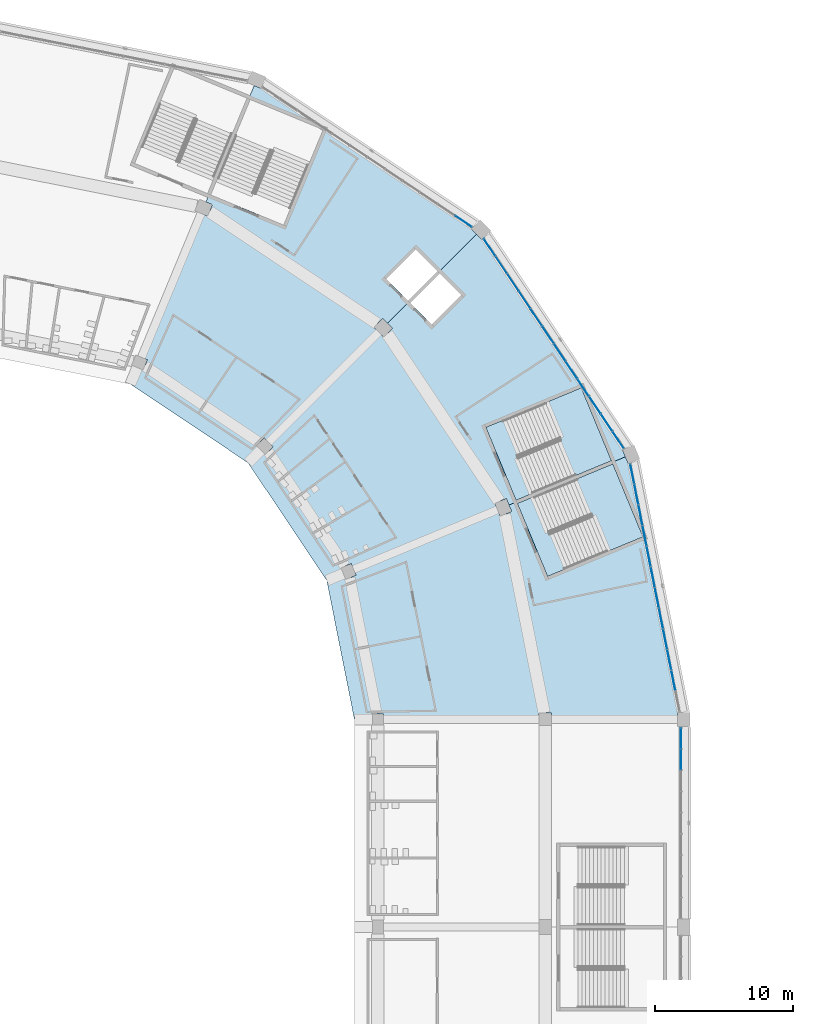
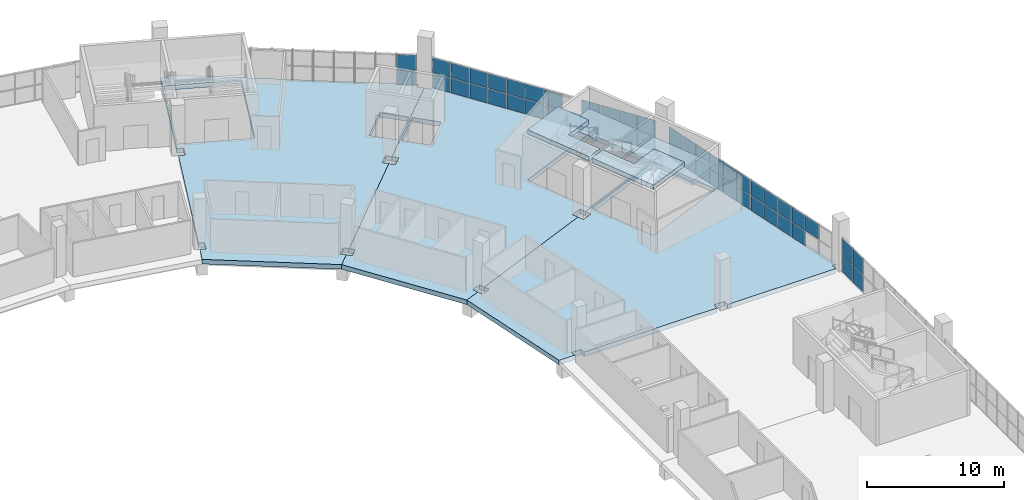
# One storey, part 72 of 199: 50 plates, 7 slabs, 6 elements without a shape of their own.
"""IFC4 building model written with IfcOpenShell, lengths in metres."""

from ifc_helpers import new_model, si_unit, direction, frame, origin, origin_2d, place, context, subcontext, project, spatial, polyline, rectangle, outline, extrude, material, layer, layer_set, type_object, element, aggregate, save


model = new_model("IFC4")

# Units and contexts
model_context = context("Model", 3, precision=1e-05, world=origin(), true_north=direction((0.0, 1.0)))
body_context = subcontext(model_context, "Body", "Model", "MODEL_VIEW")
ifc_project = project(units=[si_unit("LENGTHUNIT", "METRE"), si_unit("AREAUNIT", "SQUARE_METRE"), si_unit("VOLUMEUNIT", "CUBIC_METRE"), si_unit("PLANEANGLEUNIT", "RADIAN"), si_unit("MASSUNIT", "GRAM", prefix="KILO")], contexts=[model_context])

# Site, building, storey
site_placement = place(None, origin())
site = spatial("IfcSite", under=ifc_project, at=site_placement, CompositionType="ELEMENT")
building_placement = place(site_placement, origin())
building = spatial("IfcBuilding", under=site, at=building_placement, Name="Ogive Plaza Stadium", CompositionType="ELEMENT")
storey_placement = place(building_placement, frame((0.0, 0.0, 4.5)))
storey = spatial("IfcBuildingStorey", under=building, at=storey_placement, Name="L01", CompositionType="ELEMENT", Elevation=4.5)

# Curtain wall, plates
ifc_material_1 = material(Name="Bronze-anodised aluminium with laminated glass", Category="aluminium")
curtain_wall_type = type_object("IfcCurtainWallType", Name="Lancet curtain wall", PredefinedType="NOTDEFINED", material=ifc_material_1)
curtain_wall_1_placement = place(storey_placement, origin())
curtain_wall_1 = element("IfcCurtainWall", 1, at=curtain_wall_1_placement, inside=storey, type_object=curtain_wall_type, Name="CURTAIN WALL B01 L01", PredefinedType="NOTDEFINED")
ifc_material_2 = material(Name="Laminated glass", Category="glass")
ifc_layer_1 = layer(ifc_material_2, 0.028076171875)
ifc_layer_set_1 = layer_set([ifc_layer_1], Name="Laminated glass panel 28")
plate_type = type_object("IfcPlateType", Name="Laminated glass panel 28", PredefinedType="CURTAIN_PANEL", material=ifc_layer_set_1)
plate_1_placement = place(storey_placement, frame((83.800048828125, 51.120849609375, 0.0498046875), z_axis=(0.0, 0.0, 1.0), x_axis=(0.0, -1.0, 0.0)))
plate_1 = element("IfcPlate", 2, at=plate_1_placement, type_object=plate_type, Name="CW-B01-L01 panel 1.1", PredefinedType="CURTAIN_PANEL", context=body_context, shape_type="SweptSolid", body=[
    extrude(rectangle(XDim=1.458251953125, YDim=0.028076171875, at=origin_2d()), origin(), (0.0, 0.0, 1.0), 1.469970703125),
])
plate_2_placement = place(storey_placement, frame((83.800048828125, 51.120849609375, 1.56982421875), z_axis=(0.0, 0.0, 1.0), x_axis=(0.0, -1.0, 0.0)))
plate_2 = element("IfcPlate", 3, at=plate_2_placement, type_object=plate_type, Name="CW-B01-L01 panel 1.2", PredefinedType="CURTAIN_PANEL", context=body_context, shape_type="SweptSolid", body=[
    extrude(rectangle(XDim=1.458251953125, YDim=0.028076171875, at=origin_2d()), origin(), (0.0, 0.0, 1.0), 1.469970703125),
])
plate_3_placement = place(storey_placement, frame((83.800048828125, 49.60009765625, 0.0498046875), z_axis=(0.0, 0.0, 1.0), x_axis=(0.0, -1.0, 0.0)))
plate_3 = element("IfcPlate", 4, at=plate_3_placement, type_object=plate_type, Name="CW-B01-L01 panel 2.1", PredefinedType="CURTAIN_PANEL", context=body_context, shape_type="SweptSolid", body=[
    extrude(rectangle(XDim=1.4833984375, YDim=0.028076171875, at=origin_2d()), origin(), (0.0, 0.0, 1.0), 1.469970703125),
])
plate_4_placement = place(storey_placement, frame((83.800048828125, 49.60009765625, 1.56982421875), z_axis=(0.0, 0.0, 1.0), x_axis=(0.0, -1.0, 0.0)))
plate_4 = element("IfcPlate", 5, at=plate_4_placement, type_object=plate_type, Name="CW-B01-L01 panel 2.2", PredefinedType="CURTAIN_PANEL", context=body_context, shape_type="SweptSolid", body=[
    extrude(rectangle(XDim=1.4833984375, YDim=0.028076171875, at=origin_2d()), origin(), (0.0, 0.0, 1.0), 1.469970703125),
])
aggregate(curtain_wall_1, [plate_1, plate_2, plate_3, plate_4])

curtain_wall_2_placement = place(storey_placement, origin())
curtain_wall_2 = element("IfcCurtainWall", 6, at=curtain_wall_2_placement, inside=storey, type_object=curtain_wall_type, Name="CURTAIN WALL B38 L01", PredefinedType="NOTDEFINED")
plate_5_placement = place(storey_placement, frame((68.0849609375, 88.463623046875, 0.0498046875), z_axis=(0.0, 0.0, 1.0), x_axis=(0.831469612303, -0.55557023302, 0.0)))
plate_5 = element("IfcPlate", 7, at=plate_5_placement, type_object=plate_type, Name="CW-B38-L01 panel 12.1", PredefinedType="CURTAIN_PANEL", context=body_context, shape_type="SweptSolid", body=[
    extrude(rectangle(XDim=1.447265625, YDim=0.028076171875, at=origin_2d()), origin(), (0.0, 0.0, 1.0), 1.320068359375),
])
plate_6_placement = place(storey_placement, frame((68.0849609375, 88.463623046875, 1.419921875), z_axis=(0.0, 0.0, 1.0), x_axis=(0.831469612303, -0.55557023302, 0.0)))
plate_6 = element("IfcPlate", 8, at=plate_6_placement, type_object=plate_type, Name="CW-B38-L01 panel 12.2", PredefinedType="CURTAIN_PANEL", context=body_context, shape_type="SweptSolid", body=[
    extrude(rectangle(XDim=1.447265625, YDim=0.028076171875, at=origin_2d()), origin(), (0.0, 0.0, 1.0), 1.320068359375),
])
aggregate(curtain_wall_2, [plate_5, plate_6])

curtain_wall_3_placement = place(storey_placement, origin())
curtain_wall_3 = element("IfcCurtainWall", 9, at=curtain_wall_3_placement, inside=storey, type_object=curtain_wall_type, Name="CURTAIN WALL B39 L01", PredefinedType="NOTDEFINED")
plate_7_placement = place(storey_placement, frame((69.963623046875, 86.5849609375, 0.0498046875), z_axis=(0.0, 0.0, 1.0), x_axis=(0.55557023302, -0.831469612303, 0.0)))
plate_7 = element("IfcPlate", 10, at=plate_7_placement, type_object=plate_type, Name="CW-B39-L01 panel 1.1", PredefinedType="CURTAIN_PANEL", context=body_context, shape_type="SweptSolid", body=[
    extrude(rectangle(XDim=1.447265625, YDim=0.028076171875, at=origin_2d()), origin(), (0.0, 0.0, 1.0), 1.320068359375),
])
plate_8_placement = place(storey_placement, frame((69.963623046875, 86.5849609375, 1.419921875), z_axis=(0.0, 0.0, 1.0), x_axis=(0.55557023302, -0.831469612303, 0.0)))
plate_8 = element("IfcPlate", 11, at=plate_8_placement, type_object=plate_type, Name="CW-B39-L01 panel 1.2", PredefinedType="CURTAIN_PANEL", context=body_context, shape_type="SweptSolid", body=[
    extrude(rectangle(XDim=1.447265625, YDim=0.028076171875, at=origin_2d()), origin(), (0.0, 0.0, 1.0), 1.320068359375),
])
plate_9_placement = place(storey_placement, frame((70.802490234375, 85.32958984375, 0.0498046875), z_axis=(0.0, 0.0, 1.0), x_axis=(0.55557023302, -0.831469612303, 0.0)))
plate_9 = element("IfcPlate", 12, at=plate_9_placement, type_object=plate_type, Name="CW-B39-L01 panel 2.1", PredefinedType="CURTAIN_PANEL", context=body_context, shape_type="SweptSolid", body=[
    extrude(rectangle(XDim=1.472412109375, YDim=0.028076171875, at=origin_2d()), origin(), (0.0, 0.0, 1.0), 1.320068359375),
])
plate_10_placement = place(storey_placement, frame((70.802490234375, 85.32958984375, 1.419921875), z_axis=(0.0, 0.0, 1.0), x_axis=(0.55557023302, -0.831469612303, 0.0)))
plate_10 = element("IfcPlate", 13, at=plate_10_placement, type_object=plate_type, Name="CW-B39-L01 panel 2.2", PredefinedType="CURTAIN_PANEL", context=body_context, shape_type="SweptSolid", body=[
    extrude(rectangle(XDim=1.472412109375, YDim=0.028076171875, at=origin_2d()), origin(), (0.0, 0.0, 1.0), 1.320068359375),
])
plate_11_placement = place(storey_placement, frame((71.648193359375, 84.06396484375, 0.0498046875), z_axis=(0.0, 0.0, 1.0), x_axis=(0.55557023302, -0.831469612303, 0.0)))
plate_11 = element("IfcPlate", 14, at=plate_11_placement, type_object=plate_type, Name="CW-B39-L01 panel 3.1", PredefinedType="CURTAIN_PANEL", context=body_context, shape_type="SweptSolid", body=[
    extrude(rectangle(XDim=1.472412109375, YDim=0.028076171875, at=origin_2d()), origin(), (0.0, 0.0, 1.0), 1.320068359375),
])
plate_12_placement = place(storey_placement, frame((71.648193359375, 84.06396484375, 1.419921875), z_axis=(0.0, 0.0, 1.0), x_axis=(0.55557023302, -0.831469612303, 0.0)))
plate_12 = element("IfcPlate", 15, at=plate_12_placement, type_object=plate_type, Name="CW-B39-L01 panel 3.2", PredefinedType="CURTAIN_PANEL", context=body_context, shape_type="SweptSolid", body=[
    extrude(rectangle(XDim=1.472412109375, YDim=0.028076171875, at=origin_2d()), origin(), (0.0, 0.0, 1.0), 1.320068359375),
])
plate_13_placement = place(storey_placement, frame((72.493896484375, 82.798095703125, 0.0498046875), z_axis=(0.0, 0.0, 1.0), x_axis=(0.55557023302, -0.831469612303, 0.0)))
plate_13 = element("IfcPlate", 16, at=plate_13_placement, type_object=plate_type, Name="CW-B39-L01 panel 4.1", PredefinedType="CURTAIN_PANEL", context=body_context, shape_type="SweptSolid", body=[
    extrude(rectangle(XDim=1.472412109375, YDim=0.028076171875, at=origin_2d()), origin(), (0.0, 0.0, 1.0), 1.320068359375),
])
plate_14_placement = place(storey_placement, frame((72.493896484375, 82.798095703125, 1.419921875), z_axis=(0.0, 0.0, 1.0), x_axis=(0.55557023302, -0.831469612303, 0.0)))
plate_14 = element("IfcPlate", 17, at=plate_14_placement, type_object=plate_type, Name="CW-B39-L01 panel 4.2", PredefinedType="CURTAIN_PANEL", context=body_context, shape_type="SweptSolid", body=[
    extrude(rectangle(XDim=1.472412109375, YDim=0.028076171875, at=origin_2d()), origin(), (0.0, 0.0, 1.0), 1.320068359375),
])
plate_15_placement = place(storey_placement, frame((73.339599609375, 81.5322265625, 0.0498046875), z_axis=(0.0, 0.0, 1.0), x_axis=(0.55557023302, -0.831469612303, 0.0)))
plate_15 = element("IfcPlate", 18, at=plate_15_placement, type_object=plate_type, Name="CW-B39-L01 panel 5.1", PredefinedType="CURTAIN_PANEL", context=body_context, shape_type="SweptSolid", body=[
    extrude(rectangle(XDim=1.472412109375, YDim=0.028076171875, at=origin_2d()), origin(), (0.0, 0.0, 1.0), 1.320068359375),
])
plate_16_placement = place(storey_placement, frame((73.339599609375, 81.5322265625, 1.419921875), z_axis=(0.0, 0.0, 1.0), x_axis=(0.55557023302, -0.831469612303, 0.0)))
plate_16 = element("IfcPlate", 19, at=plate_16_placement, type_object=plate_type, Name="CW-B39-L01 panel 5.2", PredefinedType="CURTAIN_PANEL", context=body_context, shape_type="SweptSolid", body=[
    extrude(rectangle(XDim=1.472412109375, YDim=0.028076171875, at=origin_2d()), origin(), (0.0, 0.0, 1.0), 1.320068359375),
])
plate_17_placement = place(storey_placement, frame((74.185546875, 80.2666015625, 0.0498046875), z_axis=(0.0, 0.0, 1.0), x_axis=(0.55557023302, -0.831469612303, 0.0)))
plate_17 = element("IfcPlate", 20, at=plate_17_placement, type_object=plate_type, Name="CW-B39-L01 panel 6.1", PredefinedType="CURTAIN_PANEL", context=body_context, shape_type="SweptSolid", body=[
    extrude(rectangle(XDim=1.472412109375, YDim=0.028076171875, at=origin_2d()), origin(), (0.0, 0.0, 1.0), 1.320068359375),
])
plate_18_placement = place(storey_placement, frame((74.185546875, 80.2666015625, 1.419921875), z_axis=(0.0, 0.0, 1.0), x_axis=(0.55557023302, -0.831469612303, 0.0)))
plate_18 = element("IfcPlate", 21, at=plate_18_placement, type_object=plate_type, Name="CW-B39-L01 panel 6.2", PredefinedType="CURTAIN_PANEL", context=body_context, shape_type="SweptSolid", body=[
    extrude(rectangle(XDim=1.472412109375, YDim=0.028076171875, at=origin_2d()), origin(), (0.0, 0.0, 1.0), 1.320068359375),
])
plate_19_placement = place(storey_placement, frame((75.03125, 79.000732421875, 0.0498046875), z_axis=(0.0, 0.0, 1.0), x_axis=(0.55557023302, -0.831469612303, 0.0)))
plate_19 = element("IfcPlate", 22, at=plate_19_placement, type_object=plate_type, Name="CW-B39-L01 panel 7.1", PredefinedType="CURTAIN_PANEL", context=body_context, shape_type="SweptSolid", body=[
    extrude(rectangle(XDim=1.472412109375, YDim=0.028076171875, at=origin_2d()), origin(), (0.0, 0.0, 1.0), 1.320068359375),
])
plate_20_placement = place(storey_placement, frame((75.03125, 79.000732421875, 1.419921875), z_axis=(0.0, 0.0, 1.0), x_axis=(0.55557023302, -0.831469612303, 0.0)))
plate_20 = element("IfcPlate", 23, at=plate_20_placement, type_object=plate_type, Name="CW-B39-L01 panel 7.2", PredefinedType="CURTAIN_PANEL", context=body_context, shape_type="SweptSolid", body=[
    extrude(rectangle(XDim=1.472412109375, YDim=0.028076171875, at=origin_2d()), origin(), (0.0, 0.0, 1.0), 1.320068359375),
])
plate_21_placement = place(storey_placement, frame((75.876953125, 77.73486328125, 0.0498046875), z_axis=(0.0, 0.0, 1.0), x_axis=(0.55557023302, -0.831469612303, 0.0)))
plate_21 = element("IfcPlate", 24, at=plate_21_placement, type_object=plate_type, Name="CW-B39-L01 panel 8.1", PredefinedType="CURTAIN_PANEL", context=body_context, shape_type="SweptSolid", body=[
    extrude(rectangle(XDim=1.472412109375, YDim=0.028076171875, at=origin_2d()), origin(), (0.0, 0.0, 1.0), 1.320068359375),
])
plate_22_placement = place(storey_placement, frame((76.722900390625, 76.46923828125, 0.0498046875), z_axis=(0.0, 0.0, 1.0), x_axis=(0.55557023302, -0.831469612303, 0.0)))
plate_22 = element("IfcPlate", 25, at=plate_22_placement, type_object=plate_type, Name="CW-B39-L01 panel 9.1", PredefinedType="CURTAIN_PANEL", context=body_context, shape_type="SweptSolid", body=[
    extrude(rectangle(XDim=1.472412109375, YDim=0.028076171875, at=origin_2d()), origin(), (0.0, 0.0, 1.0), 1.320068359375),
])
plate_23_placement = place(storey_placement, frame((76.722900390625, 76.46923828125, 1.419921875), z_axis=(0.0, 0.0, 1.0), x_axis=(0.55557023302, -0.831469612303, 0.0)))
plate_23 = element("IfcPlate", 26, at=plate_23_placement, type_object=plate_type, Name="CW-B39-L01 panel 9.2", PredefinedType="CURTAIN_PANEL", context=body_context, shape_type="SweptSolid", body=[
    extrude(rectangle(XDim=1.472412109375, YDim=0.028076171875, at=origin_2d()), origin(), (0.0, 0.0, 1.0), 1.320068359375),
])
plate_24_placement = place(storey_placement, frame((77.568603515625, 75.203369140625, 0.0498046875), z_axis=(0.0, 0.0, 1.0), x_axis=(0.55557023302, -0.831469612303, 0.0)))
plate_24 = element("IfcPlate", 27, at=plate_24_placement, type_object=plate_type, Name="CW-B39-L01 panel 10.1", PredefinedType="CURTAIN_PANEL", context=body_context, shape_type="SweptSolid", body=[
    extrude(rectangle(XDim=1.472412109375, YDim=0.028076171875, at=origin_2d()), origin(), (0.0, 0.0, 1.0), 1.320068359375),
])
plate_25_placement = place(storey_placement, frame((77.568603515625, 75.203369140625, 1.419921875), z_axis=(0.0, 0.0, 1.0), x_axis=(0.55557023302, -0.831469612303, 0.0)))
plate_25 = element("IfcPlate", 28, at=plate_25_placement, type_object=plate_type, Name="CW-B39-L01 panel 10.2", PredefinedType="CURTAIN_PANEL", context=body_context, shape_type="SweptSolid", body=[
    extrude(rectangle(XDim=1.472412109375, YDim=0.028076171875, at=origin_2d()), origin(), (0.0, 0.0, 1.0), 1.320068359375),
])
plate_26_placement = place(storey_placement, frame((78.414306640625, 73.9375, 0.0498046875), z_axis=(0.0, 0.0, 1.0), x_axis=(0.55557023302, -0.831469612303, 0.0)))
plate_26 = element("IfcPlate", 29, at=plate_26_placement, type_object=plate_type, Name="CW-B39-L01 panel 11.1", PredefinedType="CURTAIN_PANEL", context=body_context, shape_type="SweptSolid", body=[
    extrude(rectangle(XDim=1.472412109375, YDim=0.028076171875, at=origin_2d()), origin(), (0.0, 0.0, 1.0), 1.320068359375),
])
plate_27_placement = place(storey_placement, frame((78.414306640625, 73.9375, 1.419921875), z_axis=(0.0, 0.0, 1.0), x_axis=(0.55557023302, -0.831469612303, 0.0)))
plate_27 = element("IfcPlate", 30, at=plate_27_placement, type_object=plate_type, Name="CW-B39-L01 panel 11.2", PredefinedType="CURTAIN_PANEL", context=body_context, shape_type="SweptSolid", body=[
    extrude(rectangle(XDim=1.472412109375, YDim=0.028076171875, at=origin_2d()), origin(), (0.0, 0.0, 1.0), 1.320068359375),
])
plate_28_placement = place(storey_placement, frame((79.253173828125, 72.68212890625, 0.0498046875), z_axis=(0.0, 0.0, 1.0), x_axis=(0.55557023302, -0.831469612303, 0.0)))
plate_28 = element("IfcPlate", 31, at=plate_28_placement, type_object=plate_type, Name="CW-B39-L01 panel 12.1", PredefinedType="CURTAIN_PANEL", context=body_context, shape_type="SweptSolid", body=[
    extrude(rectangle(XDim=1.447265625, YDim=0.028076171875, at=origin_2d()), origin(), (0.0, 0.0, 1.0), 1.320068359375),
])
plate_29_placement = place(storey_placement, frame((79.253173828125, 72.68212890625, 1.419921875), z_axis=(0.0, 0.0, 1.0), x_axis=(0.55557023302, -0.831469612303, 0.0)))
plate_29 = element("IfcPlate", 32, at=plate_29_placement, type_object=plate_type, Name="CW-B39-L01 panel 12.2", PredefinedType="CURTAIN_PANEL", context=body_context, shape_type="SweptSolid", body=[
    extrude(rectangle(XDim=1.447265625, YDim=0.028076171875, at=origin_2d()), origin(), (0.0, 0.0, 1.0), 1.320068359375),
])
aggregate(curtain_wall_3, [plate_7, plate_8, plate_9, plate_10, plate_11, plate_12, plate_13, plate_14, plate_15, plate_16, plate_17, plate_18, plate_19, plate_20, plate_21, plate_22, plate_23, plate_24, plate_25, plate_26, plate_27, plate_28, plate_29])

curtain_wall_4_placement = place(storey_placement, origin())
curtain_wall_4 = element("IfcCurtainWall", 33, at=curtain_wall_4_placement, inside=storey, type_object=curtain_wall_type, Name="CURTAIN WALL B40 L01", PredefinedType="NOTDEFINED")
plate_30_placement = place(storey_placement, frame((80.269775390625, 70.227783203125, 0.0498046875), z_axis=(0.0, 0.0, 1.0), x_axis=(0.195090322033, -0.9807852804, 0.0)))
plate_30 = element("IfcPlate", 34, at=plate_30_placement, type_object=plate_type, Name="CW-B40-L01 panel 1.1", PredefinedType="CURTAIN_PANEL", context=body_context, shape_type="SweptSolid", body=[
    extrude(rectangle(XDim=1.447265625, YDim=0.028076171875, at=origin_2d()), origin(), (0.0, 0.0, 1.0), 1.320068359375),
])
plate_31_placement = place(storey_placement, frame((80.269775390625, 70.227783203125, 1.419921875), z_axis=(0.0, 0.0, 1.0), x_axis=(0.195090322033, -0.9807852804, 0.0)))
plate_31 = element("IfcPlate", 35, at=plate_31_placement, type_object=plate_type, Name="CW-B40-L01 panel 1.2", PredefinedType="CURTAIN_PANEL", context=body_context, shape_type="SweptSolid", body=[
    extrude(rectangle(XDim=1.447265625, YDim=0.028076171875, at=origin_2d()), origin(), (0.0, 0.0, 1.0), 1.320068359375),
])
plate_32_placement = place(storey_placement, frame((80.564453125, 68.7470703125, 0.0498046875), z_axis=(0.0, 0.0, 1.0), x_axis=(0.195090322033, -0.9807852804, 0.0)))
plate_32 = element("IfcPlate", 36, at=plate_32_placement, type_object=plate_type, Name="CW-B40-L01 panel 2.1", PredefinedType="CURTAIN_PANEL", context=body_context, shape_type="SweptSolid", body=[
    extrude(rectangle(XDim=1.472412109375, YDim=0.028076171875, at=origin_2d()), origin(), (0.0, 0.0, 1.0), 1.320068359375),
])
plate_33_placement = place(storey_placement, frame((80.564453125, 68.7470703125, 1.419921875), z_axis=(0.0, 0.0, 1.0), x_axis=(0.195090322033, -0.9807852804, 0.0)))
plate_33 = element("IfcPlate", 37, at=plate_33_placement, type_object=plate_type, Name="CW-B40-L01 panel 2.2", PredefinedType="CURTAIN_PANEL", context=body_context, shape_type="SweptSolid", body=[
    extrude(rectangle(XDim=1.472412109375, YDim=0.028076171875, at=origin_2d()), origin(), (0.0, 0.0, 1.0), 1.320068359375),
])
plate_34_placement = place(storey_placement, frame((80.861328125, 67.25390625, 0.0498046875), z_axis=(0.0, 0.0, 1.0), x_axis=(0.195090322033, -0.9807852804, 0.0)))
plate_34 = element("IfcPlate", 38, at=plate_34_placement, type_object=plate_type, Name="CW-B40-L01 panel 3.1", PredefinedType="CURTAIN_PANEL", context=body_context, shape_type="SweptSolid", body=[
    extrude(rectangle(XDim=1.472412109375, YDim=0.028076171875, at=origin_2d()), origin(), (0.0, 0.0, 1.0), 1.320068359375),
])
plate_35_placement = place(storey_placement, frame((80.861328125, 67.25390625, 1.419921875), z_axis=(0.0, 0.0, 1.0), x_axis=(0.195090322033, -0.9807852804, 0.0)))
plate_35 = element("IfcPlate", 39, at=plate_35_placement, type_object=plate_type, Name="CW-B40-L01 panel 3.2", PredefinedType="CURTAIN_PANEL", context=body_context, shape_type="SweptSolid", body=[
    extrude(rectangle(XDim=1.472412109375, YDim=0.028076171875, at=origin_2d()), origin(), (0.0, 0.0, 1.0), 1.320068359375),
])
plate_36_placement = place(storey_placement, frame((81.158447265625, 65.7607421875, 0.0498046875), z_axis=(0.0, 0.0, 1.0), x_axis=(0.195090322033, -0.9807852804, 0.0)))
plate_36 = element("IfcPlate", 40, at=plate_36_placement, type_object=plate_type, Name="CW-B40-L01 panel 4.1", PredefinedType="CURTAIN_PANEL", context=body_context, shape_type="SweptSolid", body=[
    extrude(rectangle(XDim=1.472412109375, YDim=0.028076171875, at=origin_2d()), origin(), (0.0, 0.0, 1.0), 1.320068359375),
])
plate_37_placement = place(storey_placement, frame((81.158447265625, 65.7607421875, 1.419921875), z_axis=(0.0, 0.0, 1.0), x_axis=(0.195090322033, -0.9807852804, 0.0)))
plate_37 = element("IfcPlate", 41, at=plate_37_placement, type_object=plate_type, Name="CW-B40-L01 panel 4.2", PredefinedType="CURTAIN_PANEL", context=body_context, shape_type="SweptSolid", body=[
    extrude(rectangle(XDim=1.472412109375, YDim=0.028076171875, at=origin_2d()), origin(), (0.0, 0.0, 1.0), 1.320068359375),
])
plate_38_placement = place(storey_placement, frame((81.455322265625, 64.267822265625, 0.0498046875), z_axis=(0.0, 0.0, 1.0), x_axis=(0.195090322033, -0.9807852804, 0.0)))
plate_38 = element("IfcPlate", 42, at=plate_38_placement, type_object=plate_type, Name="CW-B40-L01 panel 5.1", PredefinedType="CURTAIN_PANEL", context=body_context, shape_type="SweptSolid", body=[
    extrude(rectangle(XDim=1.472412109375, YDim=0.028076171875, at=origin_2d()), origin(), (0.0, 0.0, 1.0), 1.320068359375),
])
plate_39_placement = place(storey_placement, frame((81.455322265625, 64.267822265625, 1.419921875), z_axis=(0.0, 0.0, 1.0), x_axis=(0.195090322033, -0.9807852804, 0.0)))
plate_39 = element("IfcPlate", 43, at=plate_39_placement, type_object=plate_type, Name="CW-B40-L01 panel 5.2", PredefinedType="CURTAIN_PANEL", context=body_context, shape_type="SweptSolid", body=[
    extrude(rectangle(XDim=1.472412109375, YDim=0.028076171875, at=origin_2d()), origin(), (0.0, 0.0, 1.0), 1.320068359375),
])
plate_40_placement = place(storey_placement, frame((81.75244140625, 62.774658203125, 0.0498046875), z_axis=(0.0, 0.0, 1.0), x_axis=(0.195090322033, -0.9807852804, 0.0)))
plate_40 = element("IfcPlate", 44, at=plate_40_placement, type_object=plate_type, Name="CW-B40-L01 panel 6.1", PredefinedType="CURTAIN_PANEL", context=body_context, shape_type="SweptSolid", body=[
    extrude(rectangle(XDim=1.472412109375, YDim=0.028076171875, at=origin_2d()), origin(), (0.0, 0.0, 1.0), 1.320068359375),
])
plate_41_placement = place(storey_placement, frame((81.75244140625, 62.774658203125, 1.419921875), z_axis=(0.0, 0.0, 1.0), x_axis=(0.195090322033, -0.9807852804, 0.0)))
plate_41 = element("IfcPlate", 45, at=plate_41_placement, type_object=plate_type, Name="CW-B40-L01 panel 6.2", PredefinedType="CURTAIN_PANEL", context=body_context, shape_type="SweptSolid", body=[
    extrude(rectangle(XDim=1.472412109375, YDim=0.028076171875, at=origin_2d()), origin(), (0.0, 0.0, 1.0), 1.320068359375),
])
plate_42_placement = place(storey_placement, frame((82.04931640625, 61.281494140625, 0.0498046875), z_axis=(0.0, 0.0, 1.0), x_axis=(0.195090322033, -0.9807852804, 0.0)))
plate_42 = element("IfcPlate", 46, at=plate_42_placement, type_object=plate_type, Name="CW-B40-L01 panel 7.1", PredefinedType="CURTAIN_PANEL", context=body_context, shape_type="SweptSolid", body=[
    extrude(rectangle(XDim=1.472412109375, YDim=0.028076171875, at=origin_2d()), origin(), (0.0, 0.0, 1.0), 1.320068359375),
])
plate_43_placement = place(storey_placement, frame((82.04931640625, 61.281494140625, 1.419921875), z_axis=(0.0, 0.0, 1.0), x_axis=(0.195090322033, -0.9807852804, 0.0)))
plate_43 = element("IfcPlate", 47, at=plate_43_placement, type_object=plate_type, Name="CW-B40-L01 panel 7.2", PredefinedType="CURTAIN_PANEL", context=body_context, shape_type="SweptSolid", body=[
    extrude(rectangle(XDim=1.472412109375, YDim=0.028076171875, at=origin_2d()), origin(), (0.0, 0.0, 1.0), 1.320068359375),
])
plate_44_placement = place(storey_placement, frame((82.346435546875, 59.788330078125, 0.0498046875), z_axis=(0.0, 0.0, 1.0), x_axis=(0.195090322033, -0.9807852804, 0.0)))
plate_44 = element("IfcPlate", 48, at=plate_44_placement, type_object=plate_type, Name="CW-B40-L01 panel 8.1", PredefinedType="CURTAIN_PANEL", context=body_context, shape_type="SweptSolid", body=[
    extrude(rectangle(XDim=1.472412109375, YDim=0.028076171875, at=origin_2d()), origin(), (0.0, 0.0, 1.0), 1.320068359375),
])
plate_45_placement = place(storey_placement, frame((82.346435546875, 59.788330078125, 1.419921875), z_axis=(0.0, 0.0, 1.0), x_axis=(0.195090322033, -0.9807852804, 0.0)))
plate_45 = element("IfcPlate", 49, at=plate_45_placement, type_object=plate_type, Name="CW-B40-L01 panel 8.2", PredefinedType="CURTAIN_PANEL", context=body_context, shape_type="SweptSolid", body=[
    extrude(rectangle(XDim=1.472412109375, YDim=0.028076171875, at=origin_2d()), origin(), (0.0, 0.0, 1.0), 1.320068359375),
])
plate_46_placement = place(storey_placement, frame((82.643310546875, 58.29541015625, 0.0498046875), z_axis=(0.0, 0.0, 1.0), x_axis=(0.195090322033, -0.9807852804, 0.0)))
plate_46 = element("IfcPlate", 50, at=plate_46_placement, type_object=plate_type, Name="CW-B40-L01 panel 9.1", PredefinedType="CURTAIN_PANEL", context=body_context, shape_type="SweptSolid", body=[
    extrude(rectangle(XDim=1.472412109375, YDim=0.028076171875, at=origin_2d()), origin(), (0.0, 0.0, 1.0), 1.320068359375),
])
plate_47_placement = place(storey_placement, frame((82.643310546875, 58.29541015625, 1.419921875), z_axis=(0.0, 0.0, 1.0), x_axis=(0.195090322033, -0.9807852804, 0.0)))
plate_47 = element("IfcPlate", 51, at=plate_47_placement, type_object=plate_type, Name="CW-B40-L01 panel 9.2", PredefinedType="CURTAIN_PANEL", context=body_context, shape_type="SweptSolid", body=[
    extrude(rectangle(XDim=1.472412109375, YDim=0.028076171875, at=origin_2d()), origin(), (0.0, 0.0, 1.0), 1.320068359375),
])
plate_48_placement = place(storey_placement, frame((82.9404296875, 56.80224609375, 0.0498046875), z_axis=(0.0, 0.0, 1.0), x_axis=(0.195090322033, -0.9807852804, 0.0)))
plate_48 = element("IfcPlate", 52, at=plate_48_placement, type_object=plate_type, Name="CW-B40-L01 panel 10.1", PredefinedType="CURTAIN_PANEL", context=body_context, shape_type="SweptSolid", body=[
    extrude(rectangle(XDim=1.472412109375, YDim=0.028076171875, at=origin_2d()), origin(), (0.0, 0.0, 1.0), 1.320068359375),
])
plate_49_placement = place(storey_placement, frame((82.9404296875, 56.80224609375, 1.419921875), z_axis=(0.0, 0.0, 1.0), x_axis=(0.195090322033, -0.9807852804, 0.0)))
plate_49 = element("IfcPlate", 53, at=plate_49_placement, type_object=plate_type, Name="CW-B40-L01 panel 10.2", PredefinedType="CURTAIN_PANEL", context=body_context, shape_type="SweptSolid", body=[
    extrude(rectangle(XDim=1.472412109375, YDim=0.028076171875, at=origin_2d()), origin(), (0.0, 0.0, 1.0), 1.320068359375),
])
plate_50_placement = place(storey_placement, frame((83.2373046875, 55.30908203125, 1.419921875), z_axis=(0.0, 0.0, 1.0), x_axis=(0.195090322033, -0.9807852804, 0.0)))
plate_50 = element("IfcPlate", 54, at=plate_50_placement, type_object=plate_type, Name="CW-B40-L01 panel 11.2", PredefinedType="CURTAIN_PANEL", context=body_context, shape_type="SweptSolid", body=[
    extrude(rectangle(XDim=1.472412109375, YDim=0.028076171875, at=origin_2d()), origin(), (0.0, 0.0, 1.0), 1.320068359375),
])
aggregate(curtain_wall_4, [plate_30, plate_31, plate_32, plate_33, plate_34, plate_35, plate_36, plate_37, plate_38, plate_39, plate_40, plate_41, plate_42, plate_43, plate_44, plate_45, plate_46, plate_47, plate_48, plate_49, plate_50])

# Slabs
ifc_material_3 = material(Name="Concrete C40/50", Category="concrete")
ifc_layer_2 = layer(ifc_material_3, 0.409912109375)
ifc_layer_set_2 = layer_set([ifc_layer_2], Name="Concrete C40/50")
slab_type_1 = type_object("IfcSlabType", Name="RC floor slab 410", PredefinedType="FLOOR", material=ifc_layer_set_2)
slab_1_placement = place(storey_placement, frame((0.0, 0.0, -0.409912109375)))
element("IfcSlab", 55, at=slab_1_placement, inside=storey, type_object=slab_type_1, Name="Floor slab L01 B38", PredefinedType="FLOOR", context=body_context, shape_type="SweptSolid", body=[
    extrude(outline(polyline([(53.445556640625, 71.945556640625), (53.127197265625, 72.263671875), (53.69287109375, 72.829345703125), (54.01123046875, 72.51123046875), (61.966064453125, 80.466064453125), (61.612548828125, 80.819580078125), (62.2490234375, 81.4560546875), (62.6025390625, 81.1025390625), (69.037109375, 87.537109375), (68.648193359375, 87.926025390625), (68.88916015625, 88.1669921875), (53.600341796875, 98.38232421875), (53.47021484375, 98.06787109375), (52.9619140625, 98.2783203125), (49.4794921875, 89.870849609375), (49.94140625, 89.6796875), (49.59716796875, 88.84814453125), (49.135009765625, 89.03955078125), (44.829833984375, 78.645751953125), (45.24560546875, 78.4736328125), (44.939453125, 77.734375), (44.523681640625, 77.90673828125), (44.0263671875, 76.70556640625), (52.526123046875, 71.026123046875), (53.445556640625, 71.945556640625)]), holes=[polyline([(62.51416015625, 84.30224609375), (64.06982421875, 82.74658203125), (66.19091796875, 84.867919921875), (64.635498046875, 86.42333984375), (62.51416015625, 84.30224609375)]), polyline([(49.82470703125, 90.37744140625), (55.0908203125, 88.196044921875), (57.945556640625, 95.08837890625), (52.679443359375, 97.26953125), (49.82470703125, 90.37744140625)])]), origin(), (0.0, 0.0, 1.0), 0.409912109375),
])
slab_2_placement = place(storey_placement, frame((0.0, 0.0, -0.409912109375)))
element("IfcSlab", 56, at=slab_2_placement, inside=storey, type_object=slab_type_1, Name="Floor slab L01 B39", PredefinedType="FLOOR", context=body_context, shape_type="SweptSolid", body=[
    extrude(outline(polyline([(59.40673828125, 63.023681640625), (59.234375, 63.439453125), (59.9736328125, 63.74560546875), (60.145751953125, 63.329833984375), (70.53955078125, 67.635009765625), (70.34814453125, 68.09716796875), (71.1796875, 68.44140625), (71.370849609375, 67.9794921875), (79.7783203125, 71.4619140625), (79.56787109375, 71.97021484375), (79.88232421875, 72.100341796875), (69.6669921875, 87.38916015625), (69.426025390625, 87.148193359375), (69.037109375, 87.537109375), (62.6025390625, 81.1025390625), (62.9560546875, 80.7490234375), (62.319580078125, 80.112548828125), (61.966064453125, 80.466064453125), (54.01123046875, 72.51123046875), (54.329345703125, 72.19287109375), (53.763671875, 71.627197265625), (53.445556640625, 71.945556640625), (52.526123046875, 71.026123046875), (58.20556640625, 62.5263671875), (59.40673828125, 63.023681640625)]), holes=[polyline([(69.696044921875, 73.5908203125), (71.87744140625, 68.32470703125), (78.76953125, 71.179443359375), (76.58837890625, 76.445556640625), (69.696044921875, 73.5908203125)]), polyline([(64.24658203125, 82.56982421875), (65.80224609375, 81.01416015625), (67.92333984375, 83.135498046875), (66.367919921875, 84.69091796875), (64.24658203125, 82.56982421875)])]), origin(), (0.0, 0.0, 1.0), 0.409912109375),
])
slab_3_placement = place(storey_placement, frame((0.0, 0.0, -0.409912109375)))
element("IfcSlab", 57, at=slab_3_placement, inside=storey, type_object=slab_type_1, Name="Floor slab L01 B40", PredefinedType="FLOOR", context=body_context, shape_type="SweptSolid", body=[
    extrude(outline(polyline([(61.5, 52.5), (61.5, 52.89990234375), (62.300048828125, 52.89990234375), (62.300048828125, 52.5), (73.550048828125, 52.5), (73.550048828125, 52.949951171875), (74.449951171875, 52.949951171875), (74.449951171875, 52.5), (83.550048828125, 52.5), (83.550048828125, 53.0), (83.900634765625, 53.0), (80.303466796875, 71.084228515625), (79.98876953125, 70.953857421875), (79.7783203125, 71.4619140625), (71.370849609375, 67.9794921875), (71.562255859375, 67.517578125), (70.730712890625, 67.173095703125), (70.53955078125, 67.635009765625), (60.145751953125, 63.329833984375), (60.318115234375, 62.914306640625), (59.578857421875, 62.608154296875), (59.40673828125, 63.023681640625), (58.20556640625, 62.5263671875), (60.199951171875, 52.5), (61.5, 52.5)]), holes=[polyline([(71.97314453125, 68.09375), (74.154296875, 62.82763671875), (81.046630859375, 65.682373046875), (78.865234375, 70.948486328125), (71.97314453125, 68.09375)])]), origin(), (0.0, 0.0, 1.0), 0.409912109375),
])

# Stair, slabs
ifc_material_4 = material(Name="Concrete C40/50", Category="concrete")
stair_type = type_object("IfcStairType", Name="Exit stair", PredefinedType="STRAIGHT_RUN_STAIR", material=ifc_material_4)
stair_1_placement = place(storey_placement, origin())
stair_1 = element("IfcStair", 58, at=stair_1_placement, inside=storey, type_object=stair_type, Name="Exit stair ST40A L01 to L02", PredefinedType="STRAIGHT_RUN_STAIR")
ifc_material_5 = material(Name="Concrete C40/50", Category="concrete")
ifc_layer_3 = layer(ifc_material_5, 0.39990234375)
ifc_layer_set_3 = layer_set([ifc_layer_3], Name="Concrete C40/50")
slab_type_2 = type_object("IfcSlabType", Name="Stair landing", PredefinedType="LANDING", material=ifc_layer_set_3)
slab_4_placement = place(storey_placement, frame((0.0, 0.0, 1.85009765625)))
slab_4 = element("IfcSlab", 59, at=slab_4_placement, type_object=slab_type_2, Name="ST40A landing 1", PredefinedType="LANDING", context=body_context, shape_type="SweptSolid", body=[
    extrude(outline(polyline([(78.865234375, 70.948486328125), (81.046630859375, 65.682373046875), (78.459716796875, 64.61083984375), (77.349853515625, 67.2900390625), (75.132568359375, 66.37158203125), (74.06103515625, 68.95849609375), (76.2783203125, 69.876953125), (78.865234375, 70.948486328125)])), origin(), (0.0, 0.0, 1.0), 0.39990234375),
])
slab_5_placement = place(storey_placement, frame((0.0, 0.0, 4.10009765625)))
slab_5 = element("IfcSlab", 60, at=slab_5_placement, type_object=slab_type_2, Name="ST40A landing 2", PredefinedType="LANDING", context=body_context, shape_type="SweptSolid", body=[
    extrude(outline(polyline([(76.501220703125, 66.830322265625), (77.57275390625, 64.243408203125), (75.35546875, 63.324951171875), (74.154296875, 62.82763671875), (71.97314453125, 68.09375), (73.174072265625, 68.591064453125), (74.283935546875, 65.911865234375), (76.501220703125, 66.830322265625)])), origin(), (0.0, 0.0, 1.0), 0.39990234375),
])
aggregate(stair_1, [slab_4, slab_5])

stair_2_placement = place(storey_placement, origin())
stair_2 = element("IfcStair", 61, at=stair_2_placement, inside=storey, type_object=stair_type, Name="Exit stair ST40B L01 to L02", PredefinedType="STRAIGHT_RUN_STAIR")
slab_6_placement = place(storey_placement, frame((0.0, 0.0, 1.85009765625)))
slab_6 = element("IfcSlab", 62, at=slab_6_placement, type_object=slab_type_2, Name="ST40B landing 1", PredefinedType="LANDING", context=body_context, shape_type="SweptSolid", body=[
    extrude(outline(polyline([(73.96533203125, 69.189453125), (72.893798828125, 71.7763671875), (75.111083984375, 72.69482421875), (74.00146484375, 75.3740234375), (76.58837890625, 76.445556640625), (78.76953125, 71.179443359375), (76.1826171875, 70.10791015625), (73.96533203125, 69.189453125)])), origin(), (0.0, 0.0, 1.0), 0.39990234375),
])
slab_7_placement = place(storey_placement, frame((0.0, 0.0, 4.10009765625)))
slab_7 = element("IfcSlab", 63, at=slab_7_placement, type_object=slab_type_2, Name="ST40B landing 2", PredefinedType="LANDING", context=body_context, shape_type="SweptSolid", body=[
    extrude(outline(polyline([(73.078369140625, 68.822021484375), (71.87744140625, 68.32470703125), (69.696044921875, 73.5908203125), (70.897216796875, 74.088134765625), (73.114501953125, 75.006591796875), (74.18603515625, 72.419921875), (71.96875, 71.50146484375), (73.078369140625, 68.822021484375)])), origin(), (0.0, 0.0, 1.0), 0.39990234375),
])
aggregate(stair_2, [slab_6, slab_7])

save(model, "model.ifc")
